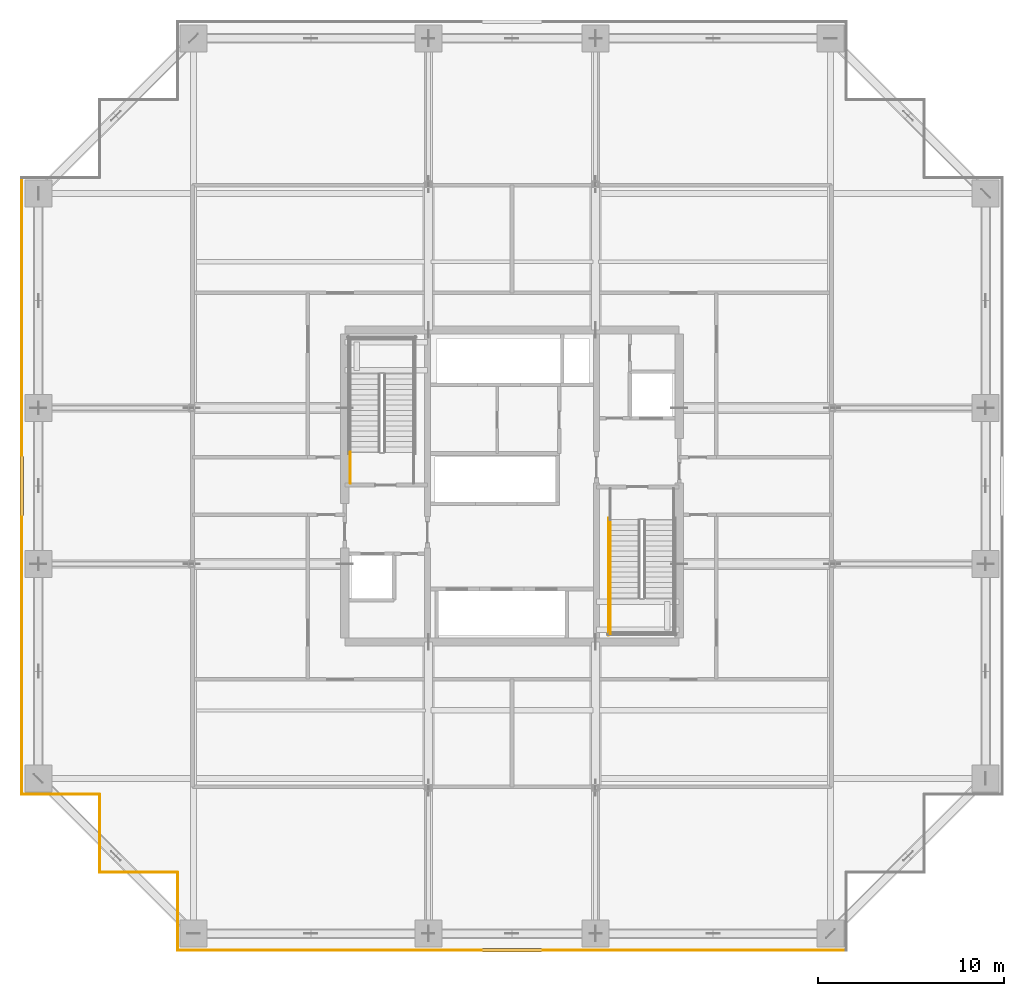
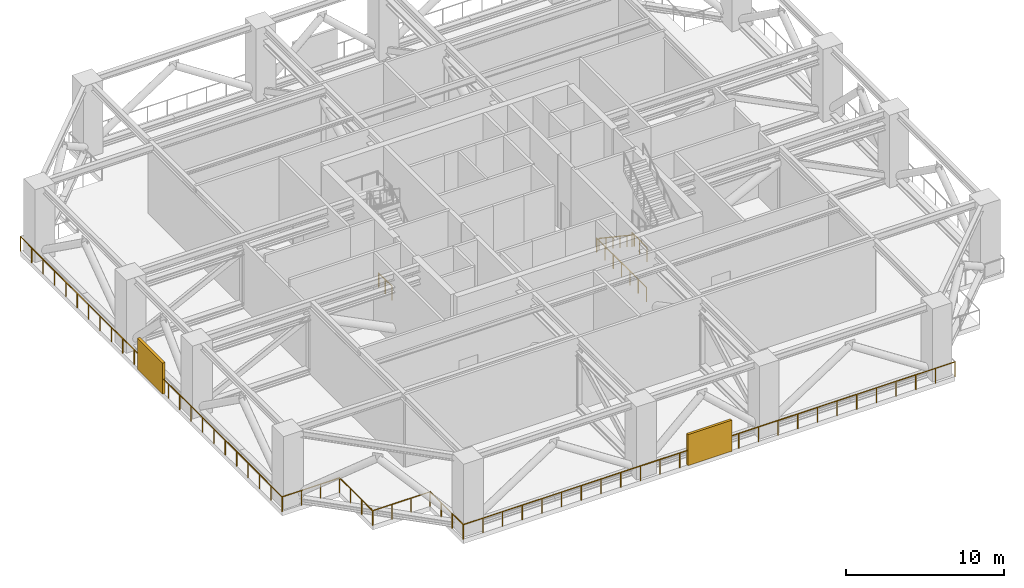
# One storey, part 18 of 21: 10 railings, 2 shading devices.
"""IFC4 building model written with IfcOpenShell, lengths in metres."""

from ifc_helpers import new_model, si_unit, direction, frame, origin, origin_2d, place, context, subcontext, project, spatial, rectangle, circle, extrude, source, transform, mapped, material, type_object, element, save


model = new_model("IFC4")

# Units and contexts
model_context = context("Model", 3, precision=1e-05, world=origin(), true_north=direction((0.0, 1.0)))
body_context = subcontext(model_context, "Body", "Model", "MODEL_VIEW")
ifc_project = project(units=[si_unit("LENGTHUNIT", "METRE"), si_unit("AREAUNIT", "SQUARE_METRE"), si_unit("VOLUMEUNIT", "CUBIC_METRE"), si_unit("PLANEANGLEUNIT", "RADIAN"), si_unit("MASSUNIT", "GRAM", prefix="KILO")], contexts=[model_context])

# Site, building, storey
site_placement = place(None, origin())
site = spatial("IfcSite", under=ifc_project, at=site_placement, CompositionType="ELEMENT")
building_placement = place(site_placement, origin())
building = spatial("IfcBuilding", under=site, at=building_placement, Name="Serunith Strait Residences", CompositionType="ELEMENT")
storey_placement = place(building_placement, frame((0.0, 0.0, 109.199951171875)))
storey = spatial("IfcBuildingStorey", under=building, at=storey_placement, Name="L27", CompositionType="ELEMENT", Elevation=109.199951171875)

# Railings
ifc_material_1 = material(Name="Brushed stainless steel 316L", Category="steel")
railing_type_1 = type_object("IfcRailingType", Name="RLG-STAIR-GUARD", PredefinedType="BALUSTRADE", material=ifc_material_1)
railing_1_placement = place(storey_placement, frame((23.699951171875, 25.35009765625, 0.0)))
element("IfcRailing", 1, at=railing_1_placement, inside=storey, type_object=railing_type_1, Name="L27 ST-1 stair guard 9", PredefinedType="BALUSTRADE", context=body_context, shape_type="SweptSolid", body=[
    extrude(circle(Radius=0.02392578125, at=origin_2d()), frame((0.0, 0.001953125, 1.076171875), z_axis=(0.0, 1.0, 0.0), x_axis=(-1.0, 0.0, 0.0)), (0.0, 0.0, 1.0), 1.676025390625),
    extrude(circle(Radius=0.02099609375, at=origin_2d()), origin(), (0.0, 0.0, 1.0), 1.050048828125),
    extrude(circle(Radius=0.02099609375, at=origin_2d()), frame((0.0, 0.83984375, 0.0)), (0.0, 0.0, 1.0), 1.050048828125),
    extrude(circle(Radius=0.02099609375, at=origin_2d()), frame((0.0, 1.679931640625, 0.0)), (0.0, 0.0, 1.0), 1.050048828125),
])
railing_2_placement = place(storey_placement, frame((37.699951171875, 19.169921875, 3.0)))
element("IfcRailing", 2, at=railing_2_placement, inside=storey, type_object=railing_type_1, Name="L27 ST-2 stair guard 3", PredefinedType="BALUSTRADE", context=body_context, shape_type="SweptSolid", body=[
    extrude(circle(Radius=0.02392578125, at=origin_2d()), frame((0.0, -0.001953125, 1.076171875), z_axis=(0.0, -1.0, 0.0), x_axis=(1.0, 0.0, 0.0)), (0.0, 0.0, 1.0), 1.916015625),
    extrude(circle(Radius=0.02099609375, at=origin_2d()), origin(), (0.0, 0.0, 1.0), 1.050048828125),
    extrude(circle(Radius=0.02099609375, at=origin_2d()), frame((0.0, -0.9599609375, 0.0)), (0.0, 0.0, 1.0), 1.050048828125),
    extrude(circle(Radius=0.02099609375, at=origin_2d()), frame((0.0, -1.919921875, 0.0)), (0.0, 0.0, 1.0), 1.050048828125),
])
railing_3_placement = place(storey_placement, frame((37.60009765625, 23.469970703125, 0.0)))
element("IfcRailing", 3, at=railing_3_placement, inside=storey, type_object=railing_type_1, Name="L27 ST-2 stair guard 10", PredefinedType="BALUSTRADE", context=body_context, shape_type="SweptSolid", body=[
    extrude(circle(Radius=0.02392578125, at=origin_2d()), frame((0.0, -0.001953125, 1.076171875), z_axis=(0.0, -1.0, 0.0), x_axis=(1.0, 0.0, 0.0)), (0.0, 0.0, 1.0), 6.316162109375),
    extrude(circle(Radius=0.02099609375, at=origin_2d()), origin(), (0.0, 0.0, 1.0), 1.050048828125),
    extrude(circle(Radius=0.02099609375, at=origin_2d()), frame((0.0, -1.05322265625, 0.0)), (0.0, 0.0, 1.0), 1.050048828125),
    extrude(circle(Radius=0.02099609375, at=origin_2d()), frame((0.0, -2.106689453125, 0.0)), (0.0, 0.0, 1.0), 1.050048828125),
    extrude(circle(Radius=0.02099609375, at=origin_2d()), frame((0.0, -3.16015625, 0.0)), (0.0, 0.0, 1.0), 1.050048828125),
    extrude(circle(Radius=0.02099609375, at=origin_2d()), frame((0.0, -4.21337890625, 0.0)), (0.0, 0.0, 1.0), 1.050048828125),
    extrude(circle(Radius=0.02099609375, at=origin_2d()), frame((0.0, -5.2666015625, 0.0)), (0.0, 0.0, 1.0), 1.050048828125),
    extrude(circle(Radius=0.02099609375, at=origin_2d()), frame((0.0, -6.320068359375, 0.0)), (0.0, 0.0, 1.0), 1.050048828125),
])
railing_type_2 = type_object("IfcRailingType", Name="RLG-STAIR-HR", PredefinedType="HANDRAIL", material=ifc_material_1)
railing_4_placement = place(storey_placement, frame((37.699951171875, 23.3701171875, 0.1875)))
element("IfcRailing", 4, at=railing_4_placement, inside=storey, type_object=railing_type_2, Name="L27 ST-2 stair handrail 1", PredefinedType="HANDRAIL", context=body_context, shape_type="SweptSolid", body=[
    extrude(circle(Radius=0.02392578125, at=origin_2d()), frame((0.0, -0.001708984375, 0.876953125), z_axis=(0.0, -0.830480445862, 0.557047779855), x_axis=(1.0, 0.0, 0.0)), (0.0, 0.0, 1.0), 5.390625),
    extrude(circle(Radius=0.02099609375, at=origin_2d()), origin(), (0.0, 0.0, 1.0), 0.849853515625),
    extrude(circle(Radius=0.02099609375, at=origin_2d()), frame((0.0, -0.89599609375, 0.60107421875)), (0.0, 0.0, 1.0), 0.849853515625),
    extrude(circle(Radius=0.02099609375, at=origin_2d()), frame((0.0, -1.7919921875, 1.2021484375)), (0.0, 0.0, 1.0), 0.849853515625),
    extrude(circle(Radius=0.02099609375, at=origin_2d()), frame((0.0, -2.688232421875, 1.802978515625)), (0.0, 0.0, 1.0), 0.849853515625),
    extrude(circle(Radius=0.02099609375, at=origin_2d()), frame((0.0, -3.584228515625, 2.404052734375)), (0.0, 0.0, 1.0), 0.849853515625),
    extrude(circle(Radius=0.02099609375, at=origin_2d()), frame((0.0, -4.480224609375, 3.005126953125)), (0.0, 0.0, 1.0), 0.849853515625),
])
ifc_material_2 = material(Name="Anodised Aluminium Wind-Floor Safety Guard", Category="aluminium")
railing_type_3 = type_object("IfcRailingType", Name="RLG-WIND-1150", PredefinedType="BALUSTRADE", material=ifc_material_2)
railing_5_placement = place(storey_placement, frame((14.39990234375, 0.199951171875, 0.0)))
element("IfcRailing", 5, at=railing_5_placement, inside=storey, type_object=railing_type_3, Name="L27 Porous Wind-Floor Safety Balustrade 01", PredefinedType="BALUSTRADE", context=body_context, shape_type="SweptSolid", body=[
    extrude(circle(Radius=0.02392578125, at=origin_2d()), frame((0.001953125, 0.0, 1.1259765625), z_axis=(1.0, 0.0, 0.0), x_axis=(0.0, 1.0, 0.0)), (0.0, 0.0, 1.0), 35.99609375),
    extrude(circle(Radius=0.02099609375, at=origin_2d()), origin(), (0.0, 0.0, 1.0), 1.099853515625),
    extrude(circle(Radius=0.02099609375, at=origin_2d()), frame((1.43994140625, 0.0, 0.0)), (0.0, 0.0, 1.0), 1.099853515625),
    extrude(circle(Radius=0.02099609375, at=origin_2d()), frame((2.8798828125, 0.0, 0.0)), (0.0, 0.0, 1.0), 1.099853515625),
    extrude(circle(Radius=0.02099609375, at=origin_2d()), frame((4.320068359375, 0.0, 0.0)), (0.0, 0.0, 1.0), 1.099853515625),
    extrude(circle(Radius=0.02099609375, at=origin_2d()), frame((5.760009765625, 0.0, 0.0)), (0.0, 0.0, 1.0), 1.099853515625),
    extrude(circle(Radius=0.02099609375, at=origin_2d()), frame((7.199951171875, 0.0, 0.0)), (0.0, 0.0, 1.0), 1.099853515625),
    extrude(circle(Radius=0.02099609375, at=origin_2d()), frame((8.639892578125, 0.0, 0.0)), (0.0, 0.0, 1.0), 1.099853515625),
    extrude(circle(Radius=0.02099609375, at=origin_2d()), frame((10.080078125, 0.0, 0.0)), (0.0, 0.0, 1.0), 1.099853515625),
    extrude(circle(Radius=0.02099609375, at=origin_2d()), frame((11.52001953125, 0.0, 0.0)), (0.0, 0.0, 1.0), 1.099853515625),
    extrude(circle(Radius=0.02099609375, at=origin_2d()), frame((12.9599609375, 0.0, 0.0)), (0.0, 0.0, 1.0), 1.099853515625),
    extrude(circle(Radius=0.02099609375, at=origin_2d()), frame((14.39990234375, 0.0, 0.0)), (0.0, 0.0, 1.0), 1.099853515625),
    extrude(circle(Radius=0.02099609375, at=origin_2d()), frame((15.840087890625, 0.0, 0.0)), (0.0, 0.0, 1.0), 1.099853515625),
    extrude(circle(Radius=0.02099609375, at=origin_2d()), frame((17.280029296875, 0.0, 0.0)), (0.0, 0.0, 1.0), 1.099853515625),
    extrude(circle(Radius=0.02099609375, at=origin_2d()), frame((18.719970703125, 0.0, 0.0)), (0.0, 0.0, 1.0), 1.099853515625),
    extrude(circle(Radius=0.02099609375, at=origin_2d()), frame((20.159912109375, 0.0, 0.0)), (0.0, 0.0, 1.0), 1.099853515625),
    extrude(circle(Radius=0.02099609375, at=origin_2d()), frame((21.60009765625, 0.0, 0.0)), (0.0, 0.0, 1.0), 1.099853515625),
    extrude(circle(Radius=0.02099609375, at=origin_2d()), frame((23.0400390625, 0.0, 0.0)), (0.0, 0.0, 1.0), 1.099853515625),
    extrude(circle(Radius=0.02099609375, at=origin_2d()), frame((24.47998046875, 0.0, 0.0)), (0.0, 0.0, 1.0), 1.099853515625),
    extrude(circle(Radius=0.02099609375, at=origin_2d()), frame((25.919921875, 0.0, 0.0)), (0.0, 0.0, 1.0), 1.099853515625),
    extrude(circle(Radius=0.02099609375, at=origin_2d()), frame((27.360107421875, 0.0, 0.0)), (0.0, 0.0, 1.0), 1.099853515625),
    extrude(circle(Radius=0.02099609375, at=origin_2d()), frame((28.800048828125, 0.0, 0.0)), (0.0, 0.0, 1.0), 1.099853515625),
    extrude(circle(Radius=0.02099609375, at=origin_2d()), frame((30.239990234375, 0.0, 0.0)), (0.0, 0.0, 1.0), 1.099853515625),
    extrude(circle(Radius=0.02099609375, at=origin_2d()), frame((31.679931640625, 0.0, 0.0)), (0.0, 0.0, 1.0), 1.099853515625),
    extrude(circle(Radius=0.02099609375, at=origin_2d()), frame((33.1201171875, 0.0, 0.0)), (0.0, 0.0, 1.0), 1.099853515625),
    extrude(circle(Radius=0.02099609375, at=origin_2d()), frame((34.56005859375, 0.0, 0.0)), (0.0, 0.0, 1.0), 1.099853515625),
    extrude(circle(Radius=0.02099609375, at=origin_2d()), frame((36.0, 0.0, 0.0)), (0.0, 0.0, 1.0), 1.099853515625),
])
railing_6_placement = place(storey_placement, frame((6.0, 41.800048828125, 0.0)))
element("IfcRailing", 6, at=railing_6_placement, inside=storey, type_object=railing_type_3, Name="L27 Porous Wind-Floor Safety Balustrade 16", PredefinedType="BALUSTRADE", context=body_context, shape_type="SweptSolid", body=[
    extrude(circle(Radius=0.02392578125, at=origin_2d()), frame((0.0, -0.001953125, 1.1259765625), z_axis=(0.0, -1.0, 0.0), x_axis=(1.0, 0.0, 0.0)), (0.0, 0.0, 1.0), 33.196044921875),
    extrude(circle(Radius=0.02099609375, at=origin_2d()), origin(), (0.0, 0.0, 1.0), 1.099853515625),
    extrude(circle(Radius=0.02099609375, at=origin_2d()), frame((0.0, -1.443359375, 0.0)), (0.0, 0.0, 1.0), 1.099853515625),
    extrude(circle(Radius=0.02099609375, at=origin_2d()), frame((0.0, -2.886962890625, 0.0)), (0.0, 0.0, 1.0), 1.099853515625),
    extrude(circle(Radius=0.02099609375, at=origin_2d()), frame((0.0, -4.330322265625, 0.0)), (0.0, 0.0, 1.0), 1.099853515625),
    extrude(circle(Radius=0.02099609375, at=origin_2d()), frame((0.0, -5.77392578125, 0.0)), (0.0, 0.0, 1.0), 1.099853515625),
    extrude(circle(Radius=0.02099609375, at=origin_2d()), frame((0.0, -7.21728515625, 0.0)), (0.0, 0.0, 1.0), 1.099853515625),
    extrude(circle(Radius=0.02099609375, at=origin_2d()), frame((0.0, -8.660888671875, 0.0)), (0.0, 0.0, 1.0), 1.099853515625),
    extrude(circle(Radius=0.02099609375, at=origin_2d()), frame((0.0, -10.104248046875, 0.0)), (0.0, 0.0, 1.0), 1.099853515625),
    extrude(circle(Radius=0.02099609375, at=origin_2d()), frame((0.0, -11.5478515625, 0.0)), (0.0, 0.0, 1.0), 1.099853515625),
    extrude(circle(Radius=0.02099609375, at=origin_2d()), frame((0.0, -12.9912109375, 0.0)), (0.0, 0.0, 1.0), 1.099853515625),
    extrude(circle(Radius=0.02099609375, at=origin_2d()), frame((0.0, -14.434814453125, 0.0)), (0.0, 0.0, 1.0), 1.099853515625),
    extrude(circle(Radius=0.02099609375, at=origin_2d()), frame((0.0, -15.878173828125, 0.0)), (0.0, 0.0, 1.0), 1.099853515625),
    extrude(circle(Radius=0.02099609375, at=origin_2d()), frame((0.0, -17.32177734375, 0.0)), (0.0, 0.0, 1.0), 1.099853515625),
    extrude(circle(Radius=0.02099609375, at=origin_2d()), frame((0.0, -18.76513671875, 0.0)), (0.0, 0.0, 1.0), 1.099853515625),
    extrude(circle(Radius=0.02099609375, at=origin_2d()), frame((0.0, -20.208740234375, 0.0)), (0.0, 0.0, 1.0), 1.099853515625),
    extrude(circle(Radius=0.02099609375, at=origin_2d()), frame((0.0, -21.652099609375, 0.0)), (0.0, 0.0, 1.0), 1.099853515625),
    extrude(circle(Radius=0.02099609375, at=origin_2d()), frame((0.0, -23.095703125, 0.0)), (0.0, 0.0, 1.0), 1.099853515625),
    extrude(circle(Radius=0.02099609375, at=origin_2d()), frame((0.0, -24.5390625, 0.0)), (0.0, 0.0, 1.0), 1.099853515625),
    extrude(circle(Radius=0.02099609375, at=origin_2d()), frame((0.0, -25.982666015625, 0.0)), (0.0, 0.0, 1.0), 1.099853515625),
    extrude(circle(Radius=0.02099609375, at=origin_2d()), frame((0.0, -27.426025390625, 0.0)), (0.0, 0.0, 1.0), 1.099853515625),
    extrude(circle(Radius=0.02099609375, at=origin_2d()), frame((0.0, -28.86962890625, 0.0)), (0.0, 0.0, 1.0), 1.099853515625),
    extrude(circle(Radius=0.02099609375, at=origin_2d()), frame((0.0, -30.31298828125, 0.0)), (0.0, 0.0, 1.0), 1.099853515625),
    extrude(circle(Radius=0.02099609375, at=origin_2d()), frame((0.0, -31.756591796875, 0.0)), (0.0, 0.0, 1.0), 1.099853515625),
    extrude(circle(Radius=0.02099609375, at=origin_2d()), frame((0.0, -33.199951171875, 0.0)), (0.0, 0.0, 1.0), 1.099853515625),
])
railing_7_placement = place(storey_placement, frame((6.0, 8.60009765625, 0.0)))
element("IfcRailing", 7, at=railing_7_placement, inside=storey, type_object=railing_type_3, Name="L27 Porous Wind-Floor Safety Balustrade 17", PredefinedType="BALUSTRADE", context=body_context, shape_type="SweptSolid", body=[
    extrude(circle(Radius=0.02392578125, at=origin_2d()), frame((0.001953125, 0.0, 1.1259765625), z_axis=(1.0, 0.0, 0.0), x_axis=(0.0, 1.0, 0.0)), (0.0, 0.0, 1.0), 4.196044921875),
    extrude(circle(Radius=0.02099609375, at=origin_2d()), origin(), (0.0, 0.0, 1.0), 1.099853515625),
    extrude(circle(Radius=0.02099609375, at=origin_2d()), frame((1.39990234375, 0.0, 0.0)), (0.0, 0.0, 1.0), 1.099853515625),
    extrude(circle(Radius=0.02099609375, at=origin_2d()), frame((2.800048828125, 0.0, 0.0)), (0.0, 0.0, 1.0), 1.099853515625),
    extrude(circle(Radius=0.02099609375, at=origin_2d()), frame((4.199951171875, 0.0, 0.0)), (0.0, 0.0, 1.0), 1.099853515625),
])
railing_8_placement = place(storey_placement, frame((10.199951171875, 8.60009765625, 0.0)))
element("IfcRailing", 8, at=railing_8_placement, inside=storey, type_object=railing_type_3, Name="L27 Porous Wind-Floor Safety Balustrade 18", PredefinedType="BALUSTRADE", context=body_context, shape_type="SweptSolid", body=[
    extrude(circle(Radius=0.02392578125, at=origin_2d()), frame((0.0, -0.001953125, 1.1259765625), z_axis=(0.0, -1.0, 0.0), x_axis=(1.0, 0.0, 0.0)), (0.0, 0.0, 1.0), 4.1962890625),
    extrude(circle(Radius=0.02099609375, at=origin_2d()), origin(), (0.0, 0.0, 1.0), 1.099853515625),
    extrude(circle(Radius=0.02099609375, at=origin_2d()), frame((0.0, -1.400146484375, 0.0)), (0.0, 0.0, 1.0), 1.099853515625),
    extrude(circle(Radius=0.02099609375, at=origin_2d()), frame((0.0, -2.800048828125, 0.0)), (0.0, 0.0, 1.0), 1.099853515625),
    extrude(circle(Radius=0.02099609375, at=origin_2d()), frame((0.0, -4.2001953125, 0.0)), (0.0, 0.0, 1.0), 1.099853515625),
])
railing_9_placement = place(storey_placement, frame((10.199951171875, 4.39990234375, 0.0)))
element("IfcRailing", 9, at=railing_9_placement, inside=storey, type_object=railing_type_3, Name="L27 Porous Wind-Floor Safety Balustrade 19", PredefinedType="BALUSTRADE", context=body_context, shape_type="SweptSolid", body=[
    extrude(circle(Radius=0.02392578125, at=origin_2d()), frame((0.001953125, 0.0, 1.1259765625), z_axis=(1.0, 0.0, 0.0), x_axis=(0.0, 1.0, 0.0)), (0.0, 0.0, 1.0), 4.196044921875),
    extrude(circle(Radius=0.02099609375, at=origin_2d()), origin(), (0.0, 0.0, 1.0), 1.099853515625),
    extrude(circle(Radius=0.02099609375, at=origin_2d()), frame((1.39990234375, 0.0, 0.0)), (0.0, 0.0, 1.0), 1.099853515625),
    extrude(circle(Radius=0.02099609375, at=origin_2d()), frame((2.800048828125, 0.0, 0.0)), (0.0, 0.0, 1.0), 1.099853515625),
    extrude(circle(Radius=0.02099609375, at=origin_2d()), frame((4.199951171875, 0.0, 0.0)), (0.0, 0.0, 1.0), 1.099853515625),
])
railing_10_placement = place(storey_placement, frame((14.39990234375, 4.39990234375, 0.0)))
element("IfcRailing", 10, at=railing_10_placement, inside=storey, type_object=railing_type_3, Name="L27 Porous Wind-Floor Safety Balustrade 20", PredefinedType="BALUSTRADE", context=body_context, shape_type="SweptSolid", body=[
    extrude(circle(Radius=0.02392578125, at=origin_2d()), frame((0.0, -0.001953125, 1.1259765625), z_axis=(0.0, -1.0, 0.0), x_axis=(1.0, 0.0, 0.0)), (0.0, 0.0, 1.0), 4.196044921875),
    extrude(circle(Radius=0.02099609375, at=origin_2d()), origin(), (0.0, 0.0, 1.0), 1.099853515625),
    extrude(circle(Radius=0.02099609375, at=origin_2d()), frame((0.0, -1.39990234375, 0.0)), (0.0, 0.0, 1.0), 1.099853515625),
    extrude(circle(Radius=0.02099609375, at=origin_2d()), frame((0.0, -2.800048828125, 0.0)), (0.0, 0.0, 1.0), 1.099853515625),
    extrude(circle(Radius=0.02099609375, at=origin_2d()), frame((0.0, -4.199951171875, 0.0)), (0.0, 0.0, 1.0), 1.099853515625),
])

# Shading devices
ifc_material_3 = material(Name="Anodised Aluminium Acoustic Storm Louvre", Category="aluminium")
shading_device_type = type_object("IfcShadingDeviceType", Name="SHD-WIND-LOUV", PredefinedType="JALOUSIE", material=ifc_material_3)
shared_shape = source(origin(), body_context, "Body", "SweptSolid", [
    extrude(rectangle(XDim=3.199951171875, YDim=0.179931640625, at=origin_2d()), origin(), (0.0, 0.0, 1.0), 2.39990234375),
])
for number, where, z_axis, x_axis, name in (
    (11, (32.39990234375, 0.199951171875, 0.0), (0.0, 0.0, 1.0), (1.0, 0.0, 0.0), "L27 Acoustic Wind-Floor Louvre S"),
    (12, (6.0, 25.199951171875, 0.0), (0.0, 0.0, 1.0), (0.0, 1.0, 0.0), "L27 Acoustic Wind-Floor Louvre W"),
):
    element("IfcShadingDevice", number, at=place(storey_placement, frame(where, z_axis=z_axis, x_axis=x_axis)), inside=storey, type_object=shading_device_type, Name=name, PredefinedType="JALOUSIE", context=body_context, shape_type="MappedRepresentation", body=[
        mapped(shared_shape, transform((0.0, 0.0, 0.0), scale=1.0)),
    ])

save(model, "model.ifc")
